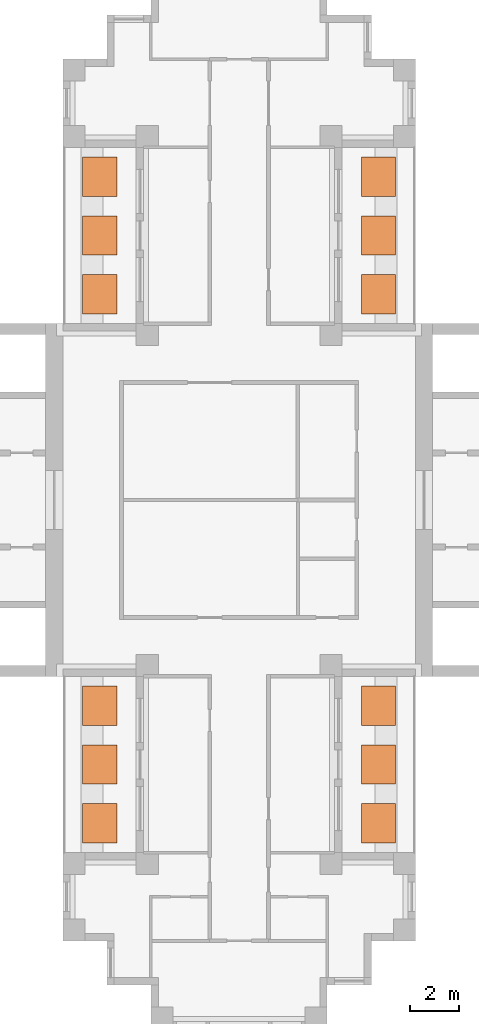
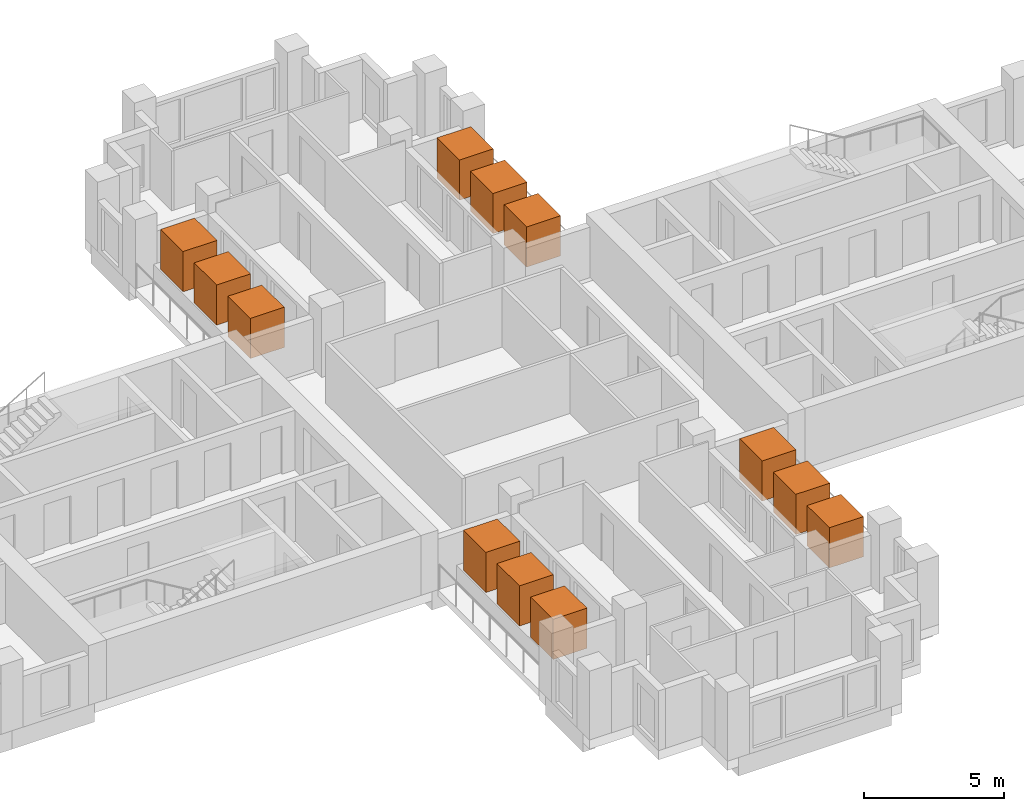
# One storey, part 12 of 12: 12 geographic elements.
"""IFC4 building model written with IfcOpenShell, lengths in metres."""

from ifc_helpers import new_model, si_unit, direction, frame, origin, origin_2d, place, context, subcontext, project, spatial, rectangle, extrude, material, element, save


model = new_model("IFC4")

# Units and contexts
model_context = context("Model", 3, precision=1e-05, world=origin(), true_north=direction((0.0, 1.0)))
body_context = subcontext(model_context, "Body", "Model", "MODEL_VIEW")
ifc_project = project(units=[si_unit("LENGTHUNIT", "METRE"), si_unit("AREAUNIT", "SQUARE_METRE"), si_unit("VOLUMEUNIT", "CUBIC_METRE"), si_unit("PLANEANGLEUNIT", "RADIAN"), si_unit("MASSUNIT", "GRAM", prefix="KILO")], contexts=[model_context])

# Site, building, storey
site_placement = place(None, origin())
site = spatial("IfcSite", under=ifc_project, at=site_placement, CompositionType="ELEMENT")
building_placement = place(site_placement, origin())
building = spatial("IfcBuilding", under=site, at=building_placement, Name="Fustian Cross Tower", CompositionType="ELEMENT")
storey_placement = place(building_placement, frame((0.0, 0.0, 132.300048828125)))
storey = spatial("IfcBuildingStorey", under=building, at=storey_placement, Name="L41", CompositionType="ELEMENT", Elevation=132.300048828125)

# Geographic elements
ifc_material = material(Name="Evergreen foliage")
for number, where, z_axis, x_axis, name in (
    (1, (5.68994140625, 8.39990234375, 0.800048828125), (0.0, 0.0, 1.0), (1.0, 0.0, 0.0), "TREE field maple"),
    (2, (5.68994140625, 10.800048828125, 0.800048828125), (0.0, 0.0, 1.0), (1.0, 0.0, 0.0), "TREE field maple"),
    (3, (5.68994140625, 13.199951171875, 0.800048828125), (0.0, 0.0, 1.0), (1.0, 0.0, 0.0), "TREE field maple"),
    (4, (-5.68994140625, 8.39990234375, 0.800048828125), (0.0, 0.0, 1.0), (1.0, 0.0, 0.0), "TREE field maple"),
    (5, (-5.68994140625, 10.800048828125, 0.800048828125), (0.0, 0.0, 1.0), (1.0, 0.0, 0.0), "TREE field maple"),
    (6, (-5.68994140625, 13.199951171875, 0.800048828125), (0.0, 0.0, 1.0), (1.0, 0.0, 0.0), "TREE field maple"),
    (7, (5.68994140625, -13.199951171875, 0.800048828125), (0.0, 0.0, 1.0), (1.0, 0.0, 0.0), "TREE field maple"),
    (8, (5.68994140625, -10.800048828125, 0.800048828125), (0.0, 0.0, 1.0), (1.0, 0.0, 0.0), "TREE field maple"),
    (9, (5.68994140625, -8.39990234375, 0.800048828125), (0.0, 0.0, 1.0), (1.0, 0.0, 0.0), "TREE field maple"),
    (10, (-5.68994140625, -13.199951171875, 0.800048828125), (0.0, 0.0, 1.0), (1.0, 0.0, 0.0), "TREE field maple"),
    (11, (-5.68994140625, -10.800048828125, 0.800048828125), (0.0, 0.0, 1.0), (1.0, 0.0, 0.0), "TREE field maple"),
    (12, (-5.68994140625, -8.39990234375, 0.800048828125), (0.0, 0.0, 1.0), (1.0, 0.0, 0.0), "TREE field maple"),
):
    element("IfcGeographicElement", number, at=place(storey_placement, frame(where, z_axis=z_axis, x_axis=x_axis)), inside=storey, material=ifc_material, Name=name, ObjectType="VEGETATION", PredefinedType="USERDEFINED", context=body_context, shape_type="SweptSolid", body=[
        extrude(rectangle(XDim=1.39990234375, YDim=1.60009765625, at=origin_2d()), origin(), (0.0, 0.0, 1.0), 1.75),
    ])

save(model, "model.ifc")
